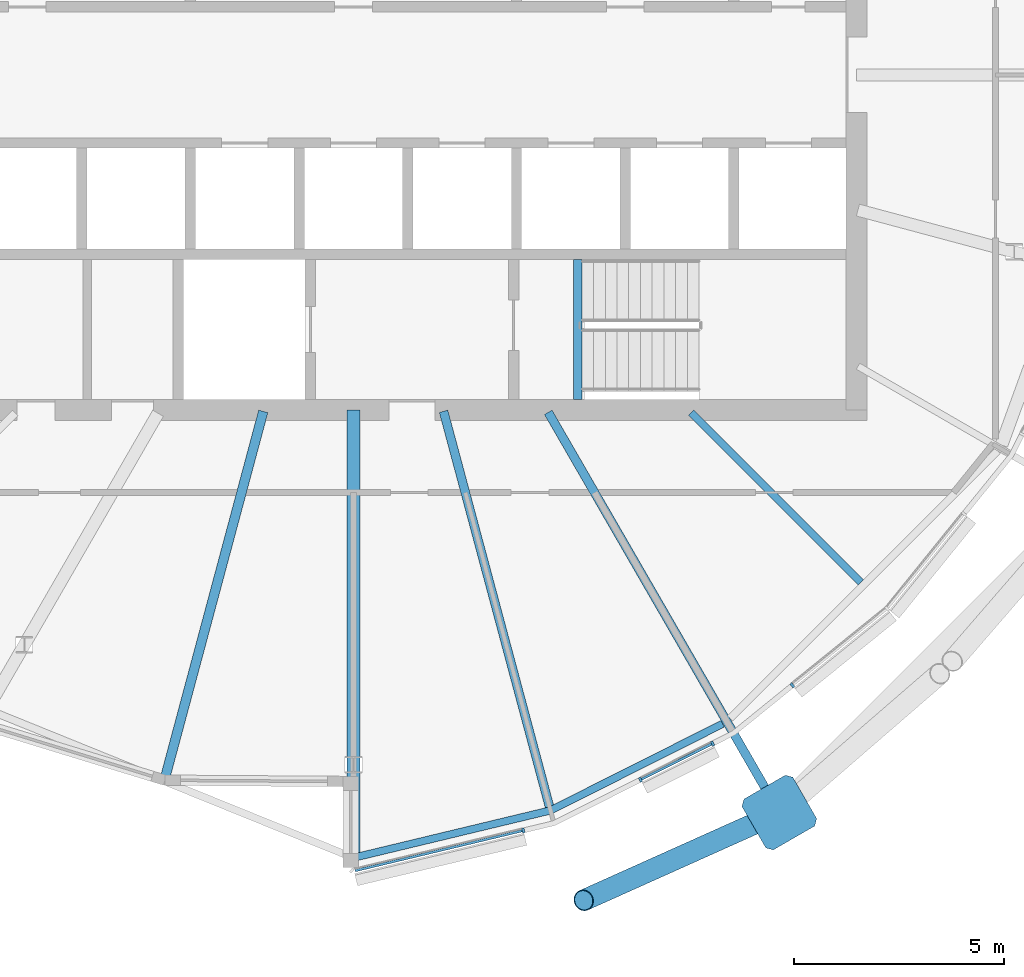
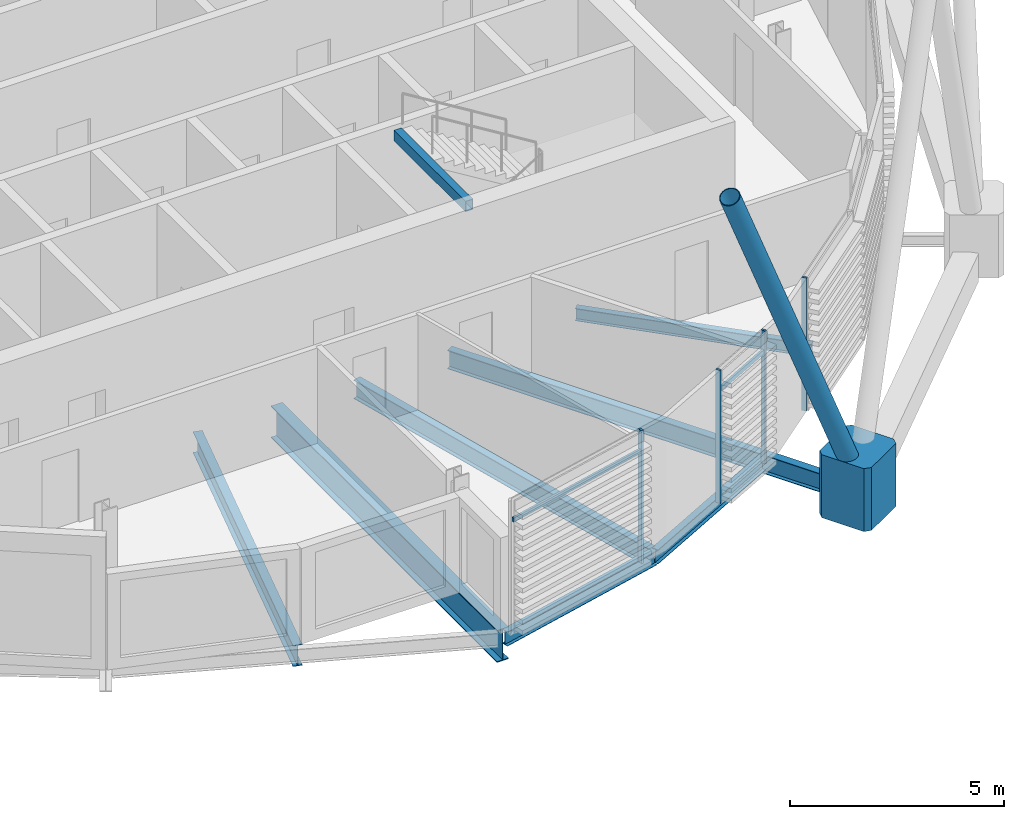
# One storey, part 11 of 31: 8 beams, 8 members, 1 element without a shape of its own.
"""IFC4 building model written with IfcOpenShell, lengths in metres."""

from ifc_helpers import new_model, si_unit, direction, frame, origin, origin_2d, place, context, subcontext, project, spatial, polyline, rectangle, hollow_rectangle, hollow_circle, i_section, outline, extrude, material, material_profile, profile_set, type_object, element, aggregate, save


model = new_model("IFC4")

# Units and contexts
model_context = context("Model", 3, precision=1e-05, world=origin(), true_north=direction((0.0, 1.0)))
body_context = subcontext(model_context, "Body", "Model", "MODEL_VIEW")
ifc_project = project(units=[si_unit("LENGTHUNIT", "METRE"), si_unit("AREAUNIT", "SQUARE_METRE"), si_unit("VOLUMEUNIT", "CUBIC_METRE"), si_unit("PLANEANGLEUNIT", "RADIAN"), si_unit("MASSUNIT", "GRAM", prefix="KILO")], contexts=[model_context])

# Site, building, storey
site_placement = place(None, origin())
site = spatial("IfcSite", under=ifc_project, at=site_placement, CompositionType="ELEMENT")
building_placement = place(site_placement, origin())
building = spatial("IfcBuilding", under=site, at=building_placement, Name="Rimbun Link Towers", CompositionType="ELEMENT")
storey_placement = place(building_placement, frame((0.0, 0.0, 244.699951171875)))
storey = spatial("IfcBuildingStorey", under=building, at=storey_placement, Name="L60", CompositionType="ELEMENT", Elevation=244.699951171875)

# Curtain wall, members
ifc_material_1 = material(Name="Aluminium 6063-T6 and low-iron glass", Category="aluminium")
curtain_wall_type = type_object("IfcCurtainWallType", Name="CW1-Z4 unitised vision wall (zone 4)", PredefinedType="NOTDEFINED", material=ifc_material_1)
curtain_wall_placement = place(storey_placement, origin())
curtain_wall = element("IfcCurtainWall", 1, at=curtain_wall_placement, inside=storey, type_object=curtain_wall_type, Name="CW1 L60 T2", PredefinedType="NOTDEFINED")
ifc_material_2 = material(Name="Aluminium 6063-T6", Category="aluminium")
ifc_material_profile_1 = material_profile(ifc_material_2, rectangle(XDim=0.1201171875, YDim=0.06005859375, at=origin_2d()), Name="MULLION 60X120")
ifc_profile_set_1 = profile_set([ifc_material_profile_1], Name="Aluminium 6063-T6")
member_type_1 = type_object("IfcMemberType", Name="CW1 mullion 60X120", PredefinedType="MULLION", material=ifc_profile_set_1)
member_1_placement = place(storey_placement, frame((35.8037109375, -18.031494140625, 0.0), z_axis=(0.0, 0.0, 1.0), x_axis=(0.232604664363, -0.972571370192, 0.0)))
member_1 = element("IfcMember", 2, at=member_1_placement, type_object=member_type_1, Name="CW1 mullion", PredefinedType="MULLION", context=body_context, shape_type="SweptSolid", body=[
    extrude(rectangle(XDim=0.1201171875, YDim=0.06005859375, at=origin_2d()), origin(), (0.0, 0.0, 1.0), 3.800048828125),
])
member_2_placement = place(storey_placement, frame((40.32373046875, -15.955078125, 0.0), z_axis=(0.0, 0.0, 1.0), x_axis=(0.4487702901, -0.893647148893, 0.0)))
member_2 = element("IfcMember", 3, at=member_2_placement, type_object=member_type_1, Name="CW1 mullion", PredefinedType="MULLION", context=body_context, shape_type="SweptSolid", body=[
    extrude(rectangle(XDim=0.1201171875, YDim=0.06005859375, at=origin_2d()), origin(), (0.0, 0.0, 1.0), 3.800048828125),
])
member_3_placement = place(storey_placement, frame((38.601318359375, -16.820068359375, 0.0), z_axis=(0.0, 0.0, 1.0), x_axis=(0.4487702901, -0.893647148893, 0.0)))
member_3 = element("IfcMember", 4, at=member_3_placement, type_object=member_type_1, Name="CW1 mullion", PredefinedType="MULLION", context=body_context, shape_type="SweptSolid", body=[
    extrude(rectangle(XDim=0.1201171875, YDim=0.06005859375, at=origin_2d()), origin(), (0.0, 0.0, 1.0), 3.800048828125),
])
member_4_placement = place(storey_placement, frame((42.22509765625, -14.56884765625, 0.0), z_axis=(0.0, 0.0, 1.0), x_axis=(0.629159092045, -0.777276551105, 0.0)))
member_4 = element("IfcMember", 5, at=member_4_placement, type_object=member_type_1, Name="CW1 mullion", PredefinedType="MULLION", context=body_context, shape_type="SweptSolid", body=[
    extrude(rectangle(XDim=0.1201171875, YDim=0.06005859375, at=origin_2d()), origin(), (0.0, 0.0, 1.0), 3.800048828125),
])
ifc_material_3 = material(Name="Aluminium 6063-T6", Category="aluminium")
ifc_material_profile_2 = material_profile(ifc_material_3, rectangle(XDim=0.06005859375, YDim=0.1201171875, at=origin_2d()), Name="TRANSOM 60X120")
ifc_profile_set_2 = profile_set([ifc_material_profile_2], Name="Aluminium 6063-T6")
member_type_2 = type_object("IfcMemberType", Name="CW1 transom 60X120", PredefinedType="USERDEFINED", material=ifc_profile_set_2)
member_5_placement = place(storey_placement, frame((35.77392578125, -18.036376953125, 3.199951171875), z_axis=(-0.972572145929, -0.232601420809, 0.0), x_axis=(0.232601420809, -0.972572145929, 0.0)))
member_5 = element("IfcMember", 6, at=member_5_placement, type_object=member_type_2, Name="CW1 transom", ObjectType="TRANSOM", PredefinedType="USERDEFINED", context=body_context, shape_type="SweptSolid", body=[
    extrude(rectangle(XDim=0.06005859375, YDim=0.1201171875, at=origin_2d()), origin(), (0.0, 0.0, 1.0), 4.093505859375),
])
member_6_placement = place(storey_placement, frame((40.2958984375, -15.966796875, 3.199951171875), z_axis=(-0.89364123049, -0.448782075365, 0.0), x_axis=(0.448782075365, -0.89364123049, 0.0)))
member_6 = element("IfcMember", 7, at=member_6_placement, type_object=member_type_2, Name="CW1 transom", ObjectType="TRANSOM", PredefinedType="USERDEFINED", context=body_context, shape_type="SweptSolid", body=[
    extrude(rectangle(XDim=0.06005859375, YDim=0.1201171875, at=origin_2d()), origin(), (0.0, 0.0, 1.0), 1.866943359375),
])
aggregate(curtain_wall, [member_1, member_2, member_3, member_4, member_5, member_6])

# Members
ifc_material_4 = material(Name="Steel S355J2H", Category="steel")
ifc_material_profile_3 = material_profile(ifc_material_4, hollow_circle(Radius=0.25390625, WallThickness=0.02001953125, at=origin_2d()), Name="Diagrid diagonal CHS 508x20")
ifc_profile_set_3 = profile_set([ifc_material_profile_3], Name="Steel S355J2H")
member_type_3 = type_object("IfcMemberType", Name="Diagrid diagonal CHS 508x20", PredefinedType="BRACE", material=ifc_profile_set_3)
member_7_placement = place(storey_placement, frame((41.72021484375, -17.68994140625, 0.453125), z_axis=(-0.386383016953, -0.17334862349, 0.905901991909), x_axis=(0.409335961337, -0.912383729993, 0.0)))
element("IfcMember", 8, at=member_7_placement, inside=storey, type_object=member_type_3, Name="Diagrid diagonal T2 L60-L63 17a", PredefinedType="BRACE", context=body_context, shape_type="SweptSolid", body=[
    extrude(hollow_circle(Radius=0.25390625, WallThickness=0.02001953125, at=origin_2d()), origin(), (0.0, 0.0, 1.0), 11.583984375),
])
ifc_material_5 = material(Name="Cast steel G20Mn5+QT, Rp0.2 300 MPa", Category="steel")
ifc_material_profile_4 = material_profile(ifc_material_5, outline(polyline([(0.699951171875, -0.570068359375), (0.699951171875, 0.570068359375), (0.570068359375, 0.699951171875), (-0.570068359375, 0.699951171875), (-0.699951171875, 0.570068359375), (-0.699951171875, -0.570068359375), (-0.570068359375, -0.699951171875), (0.570068359375, -0.699951171875), (0.699951171875, -0.570068359375)])), Name="NODE 1400x1400")
ifc_profile_set_4 = profile_set([ifc_material_profile_4], Name="Cast steel G20Mn5+QT, Rp0.2 300 MPa")
member_type_4 = type_object("IfcMemberType", Name="Diagrid node cast 1400", PredefinedType="USERDEFINED", material=ifc_profile_set_4)
member_8_placement = place(storey_placement, frame((41.913330078125, -17.603271484375, -0.89990234375), z_axis=(0.0, 0.0, 1.0), x_axis=(0.5, -0.866025403784, 0.0)))
element("IfcMember", 9, at=member_8_placement, inside=storey, type_object=member_type_4, Name="Diagrid node L60 17", ObjectType="Diagrid node", PredefinedType="USERDEFINED", context=body_context, shape_type="SweptSolid", body=[
    extrude(outline(polyline([(0.699951171875, -0.570068359375), (0.699951171875, 0.570068359375), (0.570068359375, 0.699951171875), (-0.570068359375, 0.699951171875), (-0.699951171875, 0.570068359375), (-0.699951171875, -0.570068359375), (-0.570068359375, -0.699951171875), (0.570068359375, -0.699951171875), (0.699951171875, -0.570068359375)])), origin(), (0.0, 0.0, 1.0), 1.800048828125),
])

# Beams
ifc_material_6 = material(Name="Steel S355J2", Category="steel")
ifc_material_profile_5 = material_profile(ifc_material_6, hollow_rectangle(XDim=0.199951171875, YDim=0.300048828125, WallThickness=0.011962890625, at=origin_2d()), Name="BOX 300x200x12")
ifc_profile_set_5 = profile_set([ifc_material_profile_5], Name="Steel S355J2")
beam_type_1 = type_object("IfcBeamType", Name="Stair trimmer beam BOX 300x200x12", PredefinedType="BEAM", material=ifc_profile_set_5)
beam_1_placement = place(storey_placement, frame((37.10009765625, -7.75, 3.510009765625), z_axis=(0.0, 1.0, 0.0), x_axis=(-1.0, 0.0, 0.0)))
element("IfcBeam", 10, at=beam_1_placement, inside=storey, type_object=beam_type_1, Name="L60 ST4 stair beam 1", PredefinedType="BEAM", context=body_context, shape_type="SweptSolid", body=[
    extrude(hollow_rectangle(XDim=0.199951171875, YDim=0.300048828125, WallThickness=0.011962890625, at=origin_2d()), origin(), (0.0, 0.0, 1.0), 3.35009765625),
])
ifc_material_7 = material(Name="Steel S355J2", Category="steel")
ifc_material_profile_6 = material_profile(ifc_material_7, i_section(OverallWidth=0.17138671875, OverallDepth=0.35498046875, WebThickness=0.00732421875, FlangeThickness=0.011474609375, at=origin_2d()), Name="UB 356x171x51")
ifc_profile_set_6 = profile_set([ifc_material_profile_6], Name="Steel S355J2")
beam_type_2 = type_object("IfcBeamType", Name="UB 356x171x51", PredefinedType="BEAM", material=ifc_profile_set_6)
beam_2_placement = place(storey_placement, frame((39.811279296875, -8.061279296875, -0.3173828125), z_axis=(0.707106781187, -0.707106781187, 0.0), x_axis=(0.707106781187, 0.707106781187, 0.0)))
element("IfcBeam", 11, at=beam_2_placement, inside=storey, type_object=beam_type_2, Name="Radial beam T2 L60 18", PredefinedType="BEAM", context=body_context, shape_type="SweptSolid", body=[
    extrude(i_section(OverallWidth=0.17138671875, OverallDepth=0.35498046875, WebThickness=0.00732421875, FlangeThickness=0.011474609375, at=origin_2d()), origin(), (0.0, 0.0, 1.0), 5.725830078125),
])
ifc_material_8 = material(Name="Steel S355J2", Category="steel")
ifc_material_profile_7 = material_profile(ifc_material_8, i_section(OverallWidth=0.177978515625, OverallDepth=0.406494140625, WebThickness=0.0078125, FlangeThickness=0.0126953125, at=origin_2d()), Name="UB 406x178x60")
ifc_profile_set_7 = profile_set([ifc_material_profile_7], Name="Steel S355J2")
beam_type_3 = type_object("IfcBeamType", Name="UB 406x178x60", PredefinedType="BEAM", material=ifc_profile_set_7)
beam_3_placement = place(storey_placement, frame((31.7509765625, -18.681884765625, -0.34326171875), z_axis=(0.972325258653, 0.233631315077, 0.0), x_axis=(-0.233631315077, 0.972325258653, 0.0)))
element("IfcBeam", 12, at=beam_3_placement, inside=storey, type_object=beam_type_3, Name="Edge beam T2 L60 15", PredefinedType="BEAM", context=body_context, shape_type="SweptSolid", body=[
    extrude(i_section(OverallWidth=0.177978515625, OverallDepth=0.406494140625, WebThickness=0.0078125, FlangeThickness=0.0126953125, at=origin_2d()), origin(), (0.0, 0.0, 1.0), 4.82470703125),
])
beam_4_placement = place(storey_placement, frame((36.463134765625, -17.546875, -0.34326171875), z_axis=(0.893392599858, 0.449276821702, 0.0), x_axis=(-0.449276821702, 0.893392599858, 0.0)))
element("IfcBeam", 13, at=beam_4_placement, inside=storey, type_object=beam_type_3, Name="Edge beam T2 L60 16", PredefinedType="BEAM", context=body_context, shape_type="SweptSolid", body=[
    extrude(i_section(OverallWidth=0.177978515625, OverallDepth=0.406494140625, WebThickness=0.0078125, FlangeThickness=0.0126953125, at=origin_2d()), origin(), (0.0, 0.0, 1.0), 4.588623046875),
])
ifc_material_9 = material(Name="Steel S355J2", Category="steel")
ifc_material_profile_8 = material_profile(ifc_material_9, i_section(OverallWidth=0.209228515625, OverallDepth=0.533203125, WebThickness=0.010009765625, FlangeThickness=0.015625, at=origin_2d()), Name="UB 533x210x92")
ifc_profile_set_8 = profile_set([ifc_material_profile_8], Name="Steel S355J2")
beam_type_4 = type_object("IfcBeamType", Name="UB 533x210x92", PredefinedType="BEAM", material=ifc_profile_set_8)
beam_5_placement = place(storey_placement, frame((33.901123046875, -8.028076171875, -0.406494140625), z_axis=(0.258818109326, -0.965926077029, 0.0), x_axis=(0.965926077029, 0.258818109326, 0.0)))
element("IfcBeam", 14, at=beam_5_placement, inside=storey, type_object=beam_type_4, Name="Radial beam T2 L60 16", PredefinedType="BEAM", context=body_context, shape_type="SweptSolid", body=[
    extrude(i_section(OverallWidth=0.209228515625, OverallDepth=0.533203125, WebThickness=0.010009765625, FlangeThickness=0.015625, at=origin_2d()), origin(), (0.0, 0.0, 1.0), 9.769775390625),
])
beam_6_placement = place(storey_placement, frame((36.3994140625, -8.05322265625, -0.406494140625), z_axis=(0.500007505788, -0.866021070272, 0.0), x_axis=(0.866021070272, 0.500007505788, 0.0)))
element("IfcBeam", 15, at=beam_6_placement, inside=storey, type_object=beam_type_4, Name="Radial beam T2 L60 17", PredefinedType="BEAM", context=body_context, shape_type="SweptSolid", body=[
    extrude(i_section(OverallWidth=0.209228515625, OverallDepth=0.533203125, WebThickness=0.010009765625, FlangeThickness=0.015625, at=origin_2d()), origin(), (0.0, 0.0, 1.0), 10.527587890625),
])
ifc_material_10 = material(Name="Steel S355J2", Category="steel")
ifc_material_profile_9 = material_profile(ifc_material_10, i_section(OverallWidth=0.2275390625, OverallDepth=0.6025390625, WebThickness=0.010498046875, FlangeThickness=0.014892578125, at=origin_2d()), Name="UB 610x229x101")
ifc_profile_set_9 = profile_set([ifc_material_profile_9], Name="Steel S355J2")
beam_type_5 = type_object("IfcBeamType", Name="UB 610x229x101", PredefinedType="BEAM", material=ifc_profile_set_9)
beam_7_placement = place(storey_placement, frame((29.598388671875, -8.030517578125, -0.441162109375), z_axis=(-0.258847199669, -0.965918281856, 0.0), x_axis=(0.965918281856, -0.258847199669, 0.0)))
element("IfcBeam", 16, at=beam_7_placement, inside=storey, type_object=beam_type_5, Name="Radial beam T2 L60 14", PredefinedType="BEAM", context=body_context, shape_type="SweptSolid", body=[
    extrude(i_section(OverallWidth=0.2275390625, OverallDepth=0.6025390625, WebThickness=0.010498046875, FlangeThickness=0.014892578125, at=origin_2d()), origin(), (0.0, 0.0, 1.0), 9.042236328125),
])
ifc_material_11 = material(Name="Steel S355J2", Category="steel")
ifc_material_profile_10 = material_profile(ifc_material_11, i_section(OverallWidth=0.305419921875, OverallDepth=0.91845703125, WebThickness=0.017333984375, FlangeThickness=0.02783203125, at=origin_2d()), Name="UB 914x305x253")
ifc_profile_set_10 = profile_set([ifc_material_profile_10], Name="Steel S355J2")
beam_type_6 = type_object("IfcBeamType", Name="UB 914x305x253", PredefinedType="BEAM", material=ifc_profile_set_10)
beam_8_placement = place(storey_placement, frame((31.75, -8.0009765625, -0.59912109375), z_axis=(0.0, -1.0, 0.0), x_axis=(1.0, 0.0, 0.0)))
element("IfcBeam", 17, at=beam_8_placement, inside=storey, type_object=beam_type_6, Name="Radial beam T2 L60 15", PredefinedType="BEAM", context=body_context, shape_type="SweptSolid", body=[
    extrude(i_section(OverallWidth=0.305419921875, OverallDepth=0.91845703125, WebThickness=0.017333984375, FlangeThickness=0.02783203125, at=origin_2d()), origin(), (0.0, 0.0, 1.0), 10.588623046875),
])

save(model, "model.ifc")
